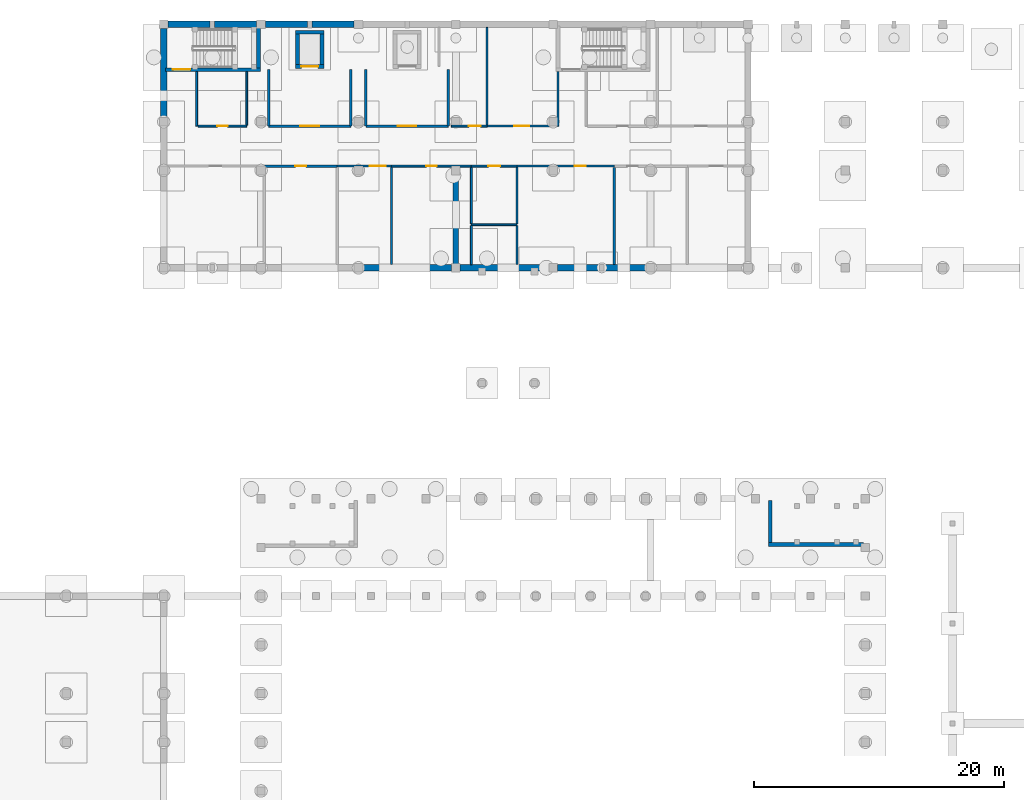
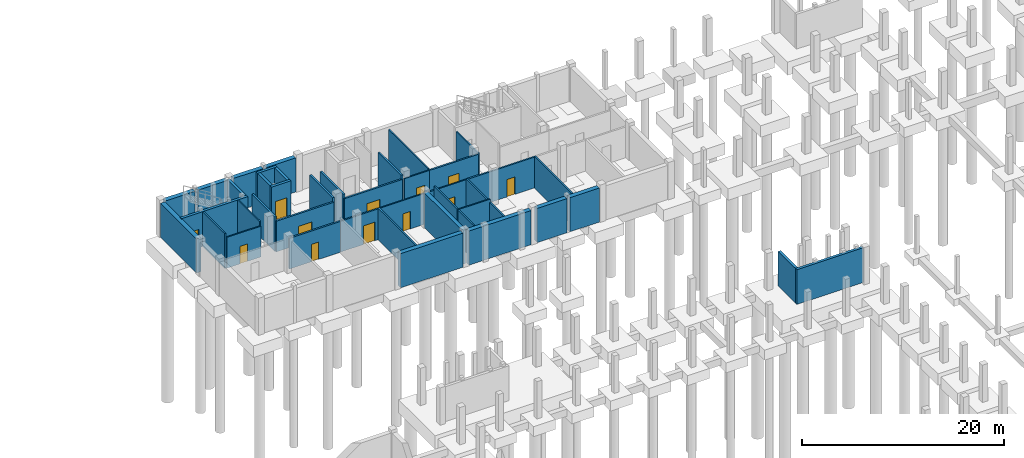
# One storey, part 16 of 24: 43 walls, 12 doors, 12 openings.
"""IFC4 building model written with IfcOpenShell, lengths in metres."""

import ifcopenshell
import ifcopenshell.guid

model = None  # the IFC model being written
_history = None  # IfcOwnerHistory: only IFC2X3 demands one
_inside = {}  # id of a spatial element -> (the spatial element, [elements in it])
_under = {}  # id of a project, library or spatial element -> (it, [spatial elements below it])
_declared = {}  # id of a project -> (the project, [libraries it declares])
_typed = {}  # id of a type object -> (the type object, [elements of that type])
_made_of = {}  # id of a material, layer set ... -> (it, [elements and type objects made of it])


def new_model(schema):
    """Start an empty IFC model of exactly this schema.

    Asked for "IFC4X3", IfcOpenShell would pick the latest addendum, in which some entities
    have other attributes; the version numbers below select the first issue.
    IFC2X3 requires an IfcOwnerHistory on every rooted entity: one is made here for all.
    """
    global model, _history
    if schema == "IFC4X3":
        model = ifcopenshell.file(schema_version=(4, 3, 0, 0))
    else:
        model = ifcopenshell.file(schema=schema)
    _inside.clear()
    _under.clear()
    _declared.clear()
    _typed.clear()
    _made_of.clear()
    _history = None
    if model.schema == "IFC2X3":
        org = make("IfcOrganization", Name="unknown")
        user = make(
            "IfcPersonAndOrganization",
            ThePerson=make("IfcPerson", FamilyName="unknown"),
            TheOrganization=org,
        )
        app = make(
            "IfcApplication",
            ApplicationDeveloper=org,
            Version="unknown",
            ApplicationFullName="unknown",
            ApplicationIdentifier="unknown",
        )
        _history = make(
            "IfcOwnerHistory",
            OwningUser=user,
            OwningApplication=app,
            ChangeAction="ADDED",
            CreationDate=0,
        )
    return model


def make(cls, **values):
    """One entity of the class cls with the attributes given. An attribute that is None is left unset."""
    return model.create_entity(
        cls, **{name: value for name, value in values.items() if value is not None}
    )


def rooted(cls, **values):
    """An entity with a GlobalId (a new one), such as an element, a storey or a relation."""
    return make(cls, GlobalId=ifcopenshell.guid.new(), OwnerHistory=_history, **values)


def si_unit(unit_type, name, prefix=None):
    """IfcSIUnit, for example si_unit("LENGTHUNIT", "METRE", prefix="MILLI")."""
    return make("IfcSIUnit", UnitType=unit_type, Prefix=prefix, Name=name)


def assignment(units):
    """IfcUnitAssignment: the units of a project."""
    return None if units is None else make("IfcUnitAssignment", Units=units)


def point(xyz):
    """IfcCartesianPoint."""
    return None if xyz is None else make("IfcCartesianPoint", Coordinates=xyz)


def direction(xyz):
    """IfcDirection."""
    return None if xyz is None else make("IfcDirection", DirectionRatios=xyz)


def frame(location, z_axis=None, x_axis=None):
    """IfcAxis2Placement3D, a coordinate frame: its origin and axes. An axis left out is left unset."""
    return make(
        "IfcAxis2Placement3D",
        Location=point(location),
        Axis=direction(z_axis),
        RefDirection=direction(x_axis),
    )


def frame_2d(location, x_axis=None):
    """IfcAxis2Placement2D, a coordinate frame in the plane: its origin and x axis."""
    return make(
        "IfcAxis2Placement2D", Location=point(location), RefDirection=direction(x_axis)
    )


def origin():
    """The frame at (0, 0, 0) with its axes left unset."""
    return frame((0.0, 0.0, 0.0))


def place(relative_to, where):
    """IfcLocalPlacement: puts the frame where relative to a parent placement (None: the world)."""
    return make(
        "IfcLocalPlacement", PlacementRelTo=relative_to, RelativePlacement=where
    )


def context(
    kind, dimensions, precision=None, world=None, true_north=None, identifier=None
):
    """IfcGeometricRepresentationContext, for example the 3D "Model" context."""
    return make(
        "IfcGeometricRepresentationContext",
        ContextIdentifier=identifier,
        ContextType=kind,
        CoordinateSpaceDimension=dimensions,
        Precision=precision,
        WorldCoordinateSystem=world,
        TrueNorth=true_north,
    )


def subcontext(parent, identifier, kind, view, scale=None):
    """IfcGeometricRepresentationSubContext, for example "Body" below "Model"."""
    return make(
        "IfcGeometricRepresentationSubContext",
        ContextIdentifier=identifier,
        ContextType=kind,
        ParentContext=parent,
        TargetScale=scale,
        TargetView=view,
    )


def project(units=None, contexts=None):
    """IfcProject with its units and contexts."""
    return rooted(
        "IfcProject",
        Name="project",
        RepresentationContexts=contexts,
        UnitsInContext=assignment(units),
    )


def spatial(cls, under=None, at=None, **own):
    """A site, building, storey or space (cls), placed at a placement, below another one or the project."""
    s = rooted(cls, ObjectPlacement=at, **own)
    if under is not None:
        _under.setdefault(under.id(), (under, []))[1].append(s)
    return s


def profile(cls, at=None, kind="AREA", **sizes):
    """A parametric profile (cls). Its sizes go by their IFC names, for example OverallWidth=200.0."""
    return make(cls, ProfileType=kind, Position=at, **sizes)


def rectangle(**sizes):
    """IfcRectangleProfileDef."""
    return profile("IfcRectangleProfileDef", **sizes)


def extrude(swept, where, along, depth):
    """IfcExtrudedAreaSolid: the profile swept, set in the frame where, extruded along a direction by depth."""
    return make(
        "IfcExtrudedAreaSolid",
        SweptArea=swept,
        Position=where,
        ExtrudedDirection=direction(along),
        Depth=depth,
    )


def shape(context_of_items, identifier, shape_type, items):
    """IfcShapeRepresentation: the items that make up one representation, for example the "Body"."""
    return make(
        "IfcShapeRepresentation",
        ContextOfItems=context_of_items,
        RepresentationIdentifier=identifier,
        RepresentationType=shape_type,
        Items=items,
    )


def material(Name=None, Category=None):
    """IfcMaterial."""
    return make("IfcMaterial", Name=Name, Category=Category)


def layer(
    of_material, thickness, ventilated=None, Name=None, Category=None, Priority=None
):
    """IfcMaterialLayer: one layer of a wall or slab, of a material (None: an air gap)."""
    return make(
        "IfcMaterialLayer",
        Material=of_material,
        LayerThickness=thickness,
        IsVentilated=ventilated,
        Name=Name,
        Category=Category,
        Priority=Priority,
    )


def layer_set(layers, Name=None):
    """IfcMaterialLayerSet."""
    return make("IfcMaterialLayerSet", MaterialLayers=layers, LayerSetName=Name)


def made_of(thing, what):
    """Note that an element or type object is made of a material, layer set ...; save() writes the relation."""
    if what is not None:
        _made_of.setdefault(what.id(), (what, []))[1].append(thing)
    return thing


def type_object(cls, material=None, **own):
    """A type object (cls), such as IfcWallType, which elements share."""
    return made_of(rooted(cls, **own), material)


def element(
    cls,
    number,
    at=None,
    inside=None,
    cuts=None,
    type_object=None,
    material=None,
    context=None,
    identifier="Body",
    shape_type=None,
    held_by="IfcProductDefinitionShape",
    body=None,
    shapes=None,
    **own,
):
    """One element of the class cls, such as IfcWall. Its Tag is "e" and its number.

    at: its placement. inside: the storey or other place that contains it. cuts: it is an
    opening in that element (IfcRelVoidsElement). A single representation is given by context,
    identifier, shape_type and body (its items); several are given by shapes. held_by: the class
    of the entity that holds the representations. save() writes the other relations.
    """
    e = rooted(cls, Tag="e%d" % number, ObjectPlacement=at, **own)
    if body is not None:
        shapes = [shape(context, identifier, shape_type, body)]
    if shapes is not None:
        e.Representation = make(held_by, Representations=shapes)
    if inside is not None:
        _inside.setdefault(inside.id(), (inside, []))[1].append(e)
    if cuts is not None:
        rooted(
            "IfcRelVoidsElement", RelatingBuildingElement=cuts, RelatedOpeningElement=e
        )
    if type_object is not None:
        _typed.setdefault(type_object.id(), (type_object, []))[1].append(e)
    return made_of(e, material)


def fill(opening, filler):
    """IfcRelFillsElement: the door or window that sits in an opening."""
    return rooted(
        "IfcRelFillsElement",
        RelatingOpeningElement=opening,
        RelatedBuildingElement=filler,
    )


def aggregate(whole, parts):
    """IfcRelAggregates: a whole, such as a stair, and the parts it consists of."""
    return rooted("IfcRelAggregates", RelatingObject=whole, RelatedObjects=parts)


def save(model, path):
    """Write the relations noted so far, then the file.

    IfcRelAggregates (storeys below a building ...), IfcRelContainedInSpatialStructure (elements
    in a storey), IfcRelDefinesByType, IfcRelAssociatesMaterial and IfcRelDeclares: one each for
    every whole, place, type object, material and project.
    """
    for whole, parts in _under.values():
        aggregate(whole, parts)
    for where, things in _inside.values():
        rooted(
            "IfcRelContainedInSpatialStructure",
            RelatedElements=things,
            RelatingStructure=where,
        )
    for kind, things in _typed.values():
        rooted("IfcRelDefinesByType", RelatedObjects=things, RelatingType=kind)
    for what, things in _made_of.values():
        rooted("IfcRelAssociatesMaterial", RelatedObjects=things, RelatingMaterial=what)
    for by, libraries in _declared.values():
        rooted("IfcRelDeclares", RelatingContext=by, RelatedDefinitions=libraries)
    model.write(path)


model = new_model("IFC4")

# Units and contexts
model_context = context("Model", 3, precision=1e-05, world=origin(), true_north=direction((0.0, 1.0)))
body_context = subcontext(model_context, "Body", "Model", "MODEL_VIEW")
ifc_project = project(units=[si_unit("LENGTHUNIT", "METRE"), si_unit("AREAUNIT", "SQUARE_METRE"), si_unit("VOLUMEUNIT", "CUBIC_METRE"), si_unit("PLANEANGLEUNIT", "RADIAN"), si_unit("MASSUNIT", "GRAM", prefix="KILO")], contexts=[model_context])

# Site, building, storey
site_placement = place(None, origin())
site = spatial("IfcSite", under=ifc_project, at=site_placement, CompositionType="ELEMENT")
building_placement = place(site_placement, origin())
building = spatial("IfcBuilding", under=site, at=building_placement, Name="Celorna Specialist Clinic", CompositionType="ELEMENT")
storey_placement = place(building_placement, frame((0.0, 0.0, -4.5)))
storey = spatial("IfcBuildingStorey", under=building, at=storey_placement, Name="B01", CompositionType="ELEMENT", Elevation=-4.5)

# Walls
ifc_material_1 = material(Name="Concrete C35/45", Category="concrete")
ifc_layer_1 = layer(ifc_material_1, 0.5, Name="Concrete C35/45")
ifc_layer_set_1 = layer_set([ifc_layer_1], Name="Concrete C35/45")
wall_type_1 = type_object("IfcWallType", Name="WT-03", PredefinedType="SOLIDWALL", material=ifc_layer_set_1)
for number, where, z_axis, x_axis, name in (
    (1, (47.14990234375, 116.0, 0.0), (0.0, 0.0, 1.0), (1.0, 0.0, 0.0), "External facade wall WT-03 #54"),
    (2, (50.875, 116.0, 0.0), (0.0, 0.0, 1.0), (1.0, 0.0, 0.0), "External facade wall WT-03 #55"),
    (3, (54.949951171875, 116.0, 0.0), (0.0, 0.0, 1.0), (1.0, 0.0, 0.0), "External facade wall WT-03 #56"),
    (4, (58.675048828125, 116.0, 0.0), (0.0, 0.0, 1.0), (1.0, 0.0, 0.0), "External facade wall WT-03 #57"),
    (5, (85.449951171875, 96.5, 0.0), (0.0, 0.0, 1.0), (-1.0, 0.0, 0.0), "External facade wall WT-03 #68"),
    (6, (81.72509765625, 96.5, 0.0), (0.0, 0.0, 1.0), (-1.0, 0.0, 0.0), "External facade wall WT-03 #69"),
):
    element("IfcWall", number, at=place(storey_placement, frame(where, z_axis=z_axis, x_axis=x_axis)), inside=storey, type_object=wall_type_1, Name=name, PredefinedType="SOLIDWALL", context=body_context, shape_type="SweptSolid", body=[
        extrude(rectangle(XDim=3.375, YDim=0.5, at=frame_2d((1.6875, 0.0))), origin(), (0.0, 0.0, 1.0), 4.1201171875),
    ])
wall_1_placement = place(storey_placement, frame((77.64990234375, 96.5, 0.0), z_axis=(0.0, 0.0, 1.0), x_axis=(-1.0, 0.0, 0.0)))
element("IfcWall", 7, at=wall_1_placement, inside=storey, type_object=wall_type_1, Name="External facade wall WT-03 #70", PredefinedType="SOLIDWALL", context=body_context, shape_type="SweptSolid", body=[
    extrude(rectangle(XDim=7.099853515625, YDim=0.5, at=frame_2d((3.5498046875, 0.0))), origin(), (0.0, 0.0, 1.0), 4.1201171875),
])
wall_2_placement = place(storey_placement, frame((69.85009765625, 96.5, 0.0), z_axis=(0.0, 0.0, 1.0), x_axis=(-1.0, 0.0, 0.0)))
element("IfcWall", 8, at=wall_2_placement, inside=storey, type_object=wall_type_1, Name="External facade wall WT-03 #71", PredefinedType="SOLIDWALL", context=body_context, shape_type="SweptSolid", body=[
    extrude(rectangle(XDim=7.10009765625, YDim=0.5, at=frame_2d((3.550048828125, 0.0))), origin(), (0.0, 0.0, 1.0), 4.1201171875),
])
wall_3_placement = place(storey_placement, frame((46.800048828125, 108.550048828125, 0.0), z_axis=(0.0, 0.0, 1.0), x_axis=(0.0, 1.0, 0.0)))
element("IfcWall", 9, at=wall_3_placement, inside=storey, type_object=wall_type_1, Name="External facade wall WT-03 #77", PredefinedType="SOLIDWALL", context=body_context, shape_type="SweptSolid", body=[
    extrude(rectangle(XDim=7.099853515625, YDim=0.5, at=frame_2d((3.5498046875, 0.0))), origin(), (0.0, 0.0, 1.0), 4.1201171875),
])
ifc_material_2 = material(Name="Concrete C40/50", Category="concrete")
ifc_layer_2 = layer(ifc_material_2, 0.449951171875, Name="Concrete C40/50")
ifc_layer_set_2 = layer_set([ifc_layer_2], Name="Concrete C40/50")
wall_type_2 = type_object("IfcWallType", Name="WT-04", PredefinedType="SHEAR", material=ifc_layer_set_2)
wall_4_placement = place(storey_placement, frame((70.199951171875, 96.68994140625, 0.0), z_axis=(0.0, 0.0, 1.0), x_axis=(0.0, 1.0, 0.0)))
element("IfcWall", 10, at=wall_4_placement, inside=storey, type_object=wall_type_2, Name="Structural RC shear wall WT-04 V4 B01", PredefinedType="SHEAR", context=body_context, shape_type="SweptSolid", body=[
    extrude(rectangle(XDim=7.4599609375, YDim=0.449951171875, at=frame_2d((3.72998046875, 0.0))), origin(), (0.0, 0.0, 1.0), 4.199951171875),
])

# Wall, opening, door
ifc_layer_3 = layer(ifc_material_1, 0.300048828125, Name="Concrete C35/45")
ifc_layer_set_3 = layer_set([ifc_layer_3], Name="Concrete C35/45")
wall_type_3 = type_object("IfcWallType", Name="WT-08", PredefinedType="SHEAR", material=ifc_layer_set_3)
wall_5_placement = place(storey_placement, frame((46.949951171875, 112.3701171875, 0.0), z_axis=(0.0, 0.0, 1.0), x_axis=(1.0, 0.0, 0.0)))
wall_5 = element("IfcWall", 11, at=wall_5_placement, inside=storey, type_object=wall_type_3, Name="Stair ST-01 RC core wall B01 south", PredefinedType="SHEAR", context=body_context, shape_type="SweptSolid", body=[
    extrude(rectangle(XDim=7.590087890625, YDim=0.300048828125, at=frame_2d((3.794921875, 0.0))), origin(), (0.0, 0.0, 1.0), 4.199951171875),
])
opening_1_placement = place(wall_5_placement, frame((0.590087890625, 0.0, 0.0)))
opening_1 = element("IfcOpeningElement", 12, at=opening_1_placement, cuts=wall_5, Name="Opening DR-10", PredefinedType="OPENING", context=body_context, shape_type="SweptSolid", body=[
    extrude(rectangle(XDim=1.39990234375, YDim=2.199951171875, at=frame_2d((0.699951171875, 1.10009765625))), frame((0.0, 0.159912109375, 0.0), z_axis=(0.0, -1.0, 0.0), x_axis=(1.0, 0.0, 0.0)), (0.0, 0.0, 1.0), 0.320068359375),
])
ifc_material_3 = material(Name="Protected exit stair fire door")
door_type_1 = type_object("IfcDoorType", Name="DR-10", OperationType="NOTDEFINED", PredefinedType="DOOR", material=ifc_material_3)
door_1_placement = place(opening_1_placement, origin())
door_1 = element("IfcDoor", 13, at=door_1_placement, inside=storey, type_object=door_type_1, Name="Protected exit stair door ST-01 B01", OperationType="SINGLE_SWING_RIGHT", OverallHeight=2.199951171875, OverallWidth=1.39990234375, PredefinedType="DOOR", context=body_context, shape_type="SweptSolid", body=[
    extrude(rectangle(XDim=1.39990234375, YDim=2.199951171875, at=frame_2d((0.699951171875, 1.10009765625))), frame((0.0, 0.02490234375, 0.0), z_axis=(0.0, -1.0, 0.0), x_axis=(1.0, 0.0, 0.0)), (0.0, 0.0, 1.0), 0.050048828125),
])
fill(opening_1, door_1)

# Walls
wall_6_placement = place(storey_placement, frame((54.389892578125, 112.52001953125, 0.0), z_axis=(0.0, 0.0, 1.0), x_axis=(0.0, 1.0, 0.0)))
element("IfcWall", 14, at=wall_6_placement, inside=storey, type_object=wall_type_3, Name="Stair ST-01 RC core wall B01 east", PredefinedType="SHEAR", context=body_context, shape_type="SweptSolid", body=[
    extrude(rectangle(XDim=3.330078125, YDim=0.300048828125, at=frame_2d((1.6650390625, 0.0))), origin(), (0.0, 0.0, 1.0), 4.199951171875),
])
wall_7_placement = place(storey_placement, frame((95.239990234375, 74.330078125, 0.0), z_axis=(0.0, 0.0, 1.0), x_axis=(1.0, 0.0, 0.0)))
element("IfcWall", 15, at=wall_7_placement, inside=storey, type_object=wall_type_3, Name="Stair ST-11 RC core wall B01 south", PredefinedType="SHEAR", context=body_context, shape_type="SweptSolid", body=[
    extrude(rectangle(XDim=7.610107421875, YDim=0.300048828125, at=frame_2d((3.80517578125, 0.0))), origin(), (0.0, 0.0, 1.0), 4.199951171875),
])
wall_8_placement = place(storey_placement, frame((95.389892578125, 77.85009765625, 0.0), z_axis=(0.0, 0.0, 1.0), x_axis=(0.0, -1.0, 0.0)))
element("IfcWall", 16, at=wall_8_placement, inside=storey, type_object=wall_type_3, Name="Stair ST-11 RC core wall B01 west", PredefinedType="SHEAR", context=body_context, shape_type="SweptSolid", body=[
    extrude(rectangle(XDim=3.3701171875, YDim=0.300048828125, at=frame_2d((1.68505859375, 0.0))), origin(), (0.0, 0.0, 1.0), 4.199951171875),
])

# Wall, opening, door
wall_9_placement = place(storey_placement, frame((57.375, 112.625, 0.0), z_axis=(0.0, 0.0, 1.0), x_axis=(1.0, 0.0, 0.0)))
wall_9 = element("IfcWall", 17, at=wall_9_placement, inside=storey, type_object=wall_type_3, Name="Lift LF-01 RC shaft wall B01", PredefinedType="SHEAR", context=body_context, shape_type="SweptSolid", body=[
    extrude(rectangle(XDim=2.25, YDim=0.300048828125, at=frame_2d((1.125, 0.0))), origin(), (0.0, 0.0, 1.0), 4.199951171875),
])
opening_2_placement = place(wall_9_placement, frame((0.449951171875, 0.0, 0.0)))
opening_2 = element("IfcOpeningElement", 18, at=opening_2_placement, cuts=wall_9, Name="Opening LD-02", PredefinedType="OPENING", context=body_context, shape_type="SweptSolid", body=[
    extrude(rectangle(XDim=1.35009765625, YDim=2.300048828125, at=frame_2d((0.675048828125, 1.14990234375))), frame((0.0, 0.159912109375, 0.0), z_axis=(0.0, -1.0, 0.0), x_axis=(1.0, 0.0, 0.0)), (0.0, 0.0, 1.0), 0.320068359375),
])
ifc_material_4 = material(Name="Firefighting stretcher lift landing sliding door")
door_type_2 = type_object("IfcDoorType", Name="LD-02", OperationType="DOUBLE_DOOR_SLIDING", PredefinedType="DOOR", material=ifc_material_4)
door_2_placement = place(opening_2_placement, origin())
door_2 = element("IfcDoor", 19, at=door_2_placement, inside=storey, type_object=door_type_2, Name="Lift LF-01 sliding landing door B01", OperationType="DOUBLE_DOOR_SLIDING", OverallHeight=2.300048828125, OverallWidth=1.35009765625, PredefinedType="DOOR", context=body_context, shape_type="SweptSolid", body=[
    extrude(rectangle(XDim=1.35009765625, YDim=2.300048828125, at=frame_2d((0.675048828125, 1.14990234375))), frame((0.0, 0.02490234375, 0.0), z_axis=(0.0, -1.0, 0.0), x_axis=(1.0, 0.0, 0.0)), (0.0, 0.0, 1.0), 0.050048828125),
])
fill(opening_2, door_2)

# Walls
wall_10_placement = place(storey_placement, frame((59.625, 115.375, 0.0), z_axis=(0.0, 0.0, 1.0), x_axis=(-1.0, 0.0, 0.0)))
element("IfcWall", 20, at=wall_10_placement, inside=storey, type_object=wall_type_3, Name="Lift LF-01 RC shaft wall B01", PredefinedType="SHEAR", context=body_context, shape_type="SweptSolid", body=[
    extrude(rectangle(XDim=2.25, YDim=0.300048828125, at=frame_2d((1.125, 0.0))), origin(), (0.0, 0.0, 1.0), 4.199951171875),
])
for number, where, z_axis, x_axis, name in (
    (21, (57.52490234375, 115.22509765625, 0.0), (0.0, 0.0, 1.0), (0.0, -1.0, 0.0), "Lift LF-01 RC shaft wall B01"),
    (22, (59.47509765625, 112.77490234375, 0.0), (0.0, 0.0, 1.0), (0.0, 1.0, 0.0), "Lift LF-01 RC shaft wall B01"),
):
    element("IfcWall", number, at=place(storey_placement, frame(where, z_axis=z_axis, x_axis=x_axis)), inside=storey, type_object=wall_type_3, Name=name, PredefinedType="SHEAR", context=body_context, shape_type="SweptSolid", body=[
        extrude(rectangle(XDim=2.4501953125, YDim=0.300048828125, at=frame_2d((1.22509765625, 0.0))), origin(), (0.0, 0.0, 1.0), 4.199951171875),
    ])

# Wall, opening, door
ifc_layer_4 = layer(ifc_material_1, 0.199951171875, Name="Concrete C35/45")
ifc_layer_set_4 = layer_set([ifc_layer_4], Name="Concrete C35/45")
wall_type_4 = type_object("IfcWallType", Name="WT-12", PredefinedType="SOLIDWALL", material=ifc_layer_set_4)
wall_11_placement = place(storey_placement, frame((55.199951171875, 107.85009765625, 0.0), z_axis=(0.0, 0.0, 1.0), x_axis=(1.0, 0.0, 0.0)))
wall_11 = element("IfcWall", 23, at=wall_11_placement, inside=storey, type_object=wall_type_4, Name="Firefighting lobby wall LF-01 B01", PredefinedType="SOLIDWALL", context=body_context, shape_type="SweptSolid", body=[
    extrude(rectangle(XDim=6.60009765625, YDim=0.199951171875, at=frame_2d((3.300048828125, 0.0))), origin(), (0.0, 0.0, 1.0), 3.7099609375),
])
opening_3_placement = place(wall_11_placement, frame((2.550048828125, 0.0, 0.0)))
opening_3 = element("IfcOpeningElement", 24, at=opening_3_placement, cuts=wall_11, Name="Opening DR-11", PredefinedType="OPENING", context=body_context, shape_type="SweptSolid", body=[
    extrude(rectangle(XDim=1.5, YDim=2.199951171875, at=frame_2d((0.75, 1.10009765625))), frame((0.0, 0.10986328125, 0.0), z_axis=(0.0, -1.0, 0.0), x_axis=(1.0, 0.0, 0.0)), (0.0, 0.0, 1.0), 0.219970703125),
])
ifc_material_5 = material(Name="Firefighting lobby double fire door")
door_type_3 = type_object("IfcDoorType", Name="DR-11", OperationType="DOUBLE_DOOR_SINGLE_SWING", PredefinedType="DOOR", material=ifc_material_5)
door_3_placement = place(opening_3_placement, origin())
door_3 = element("IfcDoor", 25, at=door_3_placement, inside=storey, type_object=door_type_3, Name="Firefighting lobby fire door LF-01 B01", OperationType="DOUBLE_DOOR_SINGLE_SWING", OverallHeight=2.199951171875, OverallWidth=1.5, PredefinedType="DOOR", context=body_context, shape_type="SweptSolid", body=[
    extrude(rectangle(XDim=1.5, YDim=2.199951171875, at=frame_2d((0.75, 1.10009765625))), frame((0.0, 0.02490234375, 0.0), z_axis=(0.0, -1.0, 0.0), x_axis=(1.0, 0.0, 0.0)), (0.0, 0.0, 1.0), 0.050048828125),
])
fill(opening_3, door_3)

# Walls
for number, where, z_axis, x_axis, name in (
    (26, (55.199951171875, 112.39990234375, 0.0), (0.0, 0.0, 1.0), (0.0, -1.0, 0.0), "Firefighting lobby wall LF-01 B01"),
    (27, (61.800048828125, 107.85009765625, 0.0), (0.0, 0.0, 1.0), (0.0, 1.0, 0.0), "Firefighting lobby wall LF-01 B01"),
):
    element("IfcWall", number, at=place(storey_placement, frame(where, z_axis=z_axis, x_axis=x_axis)), inside=storey, type_object=wall_type_4, Name=name, PredefinedType="SOLIDWALL", context=body_context, shape_type="SweptSolid", body=[
        extrude(rectangle(XDim=4.5498046875, YDim=0.199951171875, at=frame_2d((2.27490234375, 0.0))), origin(), (0.0, 0.0, 1.0), 4.199951171875),
    ])

# Wall, opening, door
wall_12_placement = place(storey_placement, frame((63.0, 107.85009765625, 0.0), z_axis=(0.0, 0.0, 1.0), x_axis=(1.0, 0.0, 0.0)))
wall_12 = element("IfcWall", 28, at=wall_12_placement, inside=storey, type_object=wall_type_4, Name="Firefighting lobby wall LF-02 B01", PredefinedType="SOLIDWALL", context=body_context, shape_type="SweptSolid", body=[
    extrude(rectangle(XDim=6.60009765625, YDim=0.199951171875, at=frame_2d((3.300048828125, 0.0))), origin(), (0.0, 0.0, 1.0), 3.7099609375),
])
opening_4_placement = place(wall_12_placement, frame((2.550048828125, 0.0, 0.0)))
opening_4 = element("IfcOpeningElement", 29, at=opening_4_placement, cuts=wall_12, Name="Opening DR-11", PredefinedType="OPENING", context=body_context, shape_type="SweptSolid", body=[
    extrude(rectangle(XDim=1.5, YDim=2.199951171875, at=frame_2d((0.75, 1.10009765625))), frame((0.0, 0.10986328125, 0.0), z_axis=(0.0, -1.0, 0.0), x_axis=(1.0, 0.0, 0.0)), (0.0, 0.0, 1.0), 0.219970703125),
])
door_4_placement = place(opening_4_placement, origin())
door_4 = element("IfcDoor", 30, at=door_4_placement, inside=storey, type_object=door_type_3, Name="Firefighting lobby fire door LF-02 B01", OperationType="DOUBLE_DOOR_SINGLE_SWING", OverallHeight=2.199951171875, OverallWidth=1.5, PredefinedType="DOOR", context=body_context, shape_type="SweptSolid", body=[
    extrude(rectangle(XDim=1.5, YDim=2.199951171875, at=frame_2d((0.75, 1.10009765625))), frame((0.0, 0.02490234375, 0.0), z_axis=(0.0, -1.0, 0.0), x_axis=(1.0, 0.0, 0.0)), (0.0, 0.0, 1.0), 0.050048828125),
])
fill(opening_4, door_4)

# Walls
for number, where, z_axis, x_axis, name in (
    (31, (63.0, 112.39990234375, 0.0), (0.0, 0.0, 1.0), (0.0, -1.0, 0.0), "Firefighting lobby wall LF-02 B01"),
    (32, (69.60009765625, 107.85009765625, 0.0), (0.0, 0.0, 1.0), (0.0, 1.0, 0.0), "Firefighting lobby wall LF-02 B01"),
):
    element("IfcWall", number, at=place(storey_placement, frame(where, z_axis=z_axis, x_axis=x_axis)), inside=storey, type_object=wall_type_4, Name=name, PredefinedType="SOLIDWALL", context=body_context, shape_type="SweptSolid", body=[
        extrude(rectangle(XDim=4.5498046875, YDim=0.199951171875, at=frame_2d((2.27490234375, 0.0))), origin(), (0.0, 0.0, 1.0), 4.199951171875),
    ])

# Wall, opening, door
wall_13_placement = place(storey_placement, frame((60.699951171875, 104.64990234375, 0.0), z_axis=(0.0, 0.0, 1.0), x_axis=(-1.0, 0.0, 0.0)))
wall_13 = element("IfcWall", 33, at=wall_13_placement, inside=storey, type_object=wall_type_4, Name="Interior partition WT-12 B01-023", PredefinedType="SOLIDWALL", context=body_context, shape_type="SweptSolid", body=[
    extrude(rectangle(XDim=5.849853515625, YDim=0.199951171875, at=frame_2d((2.9248046875, 0.0))), origin(), (0.0, 0.0, 1.0), 3.7099609375),
])
opening_5_placement = place(wall_13_placement, frame((2.5, 0.0, 0.0)))
opening_5 = element("IfcOpeningElement", 34, at=opening_5_placement, cuts=wall_13, Name="Opening DR-01", PredefinedType="OPENING", context=body_context, shape_type="SweptSolid", body=[
    extrude(rectangle(XDim=0.85009765625, YDim=2.10009765625, at=frame_2d((0.425048828125, 1.050048828125))), frame((0.0, 0.10986328125, 0.0), z_axis=(0.0, -1.0, 0.0), x_axis=(1.0, 0.0, 0.0)), (0.0, 0.0, 1.0), 0.219970703125),
])
ifc_material_6 = material(Name="Powder-coated steel door", Category="steel")
door_type_4 = type_object("IfcDoorType", Name="DR-01", OperationType="NOTDEFINED", PredefinedType="DOOR", material=ifc_material_6)
door_5_placement = place(opening_5_placement, origin())
door_5 = element("IfcDoor", 35, at=door_5_placement, inside=storey, type_object=door_type_4, Name="Air Handling and Heat Recovery Plant Room door B01-023", OperationType="SINGLE_SWING_RIGHT", OverallHeight=2.10009765625, OverallWidth=0.85009765625, PredefinedType="DOOR", context=body_context, shape_type="SweptSolid", body=[
    extrude(rectangle(XDim=0.85009765625, YDim=2.10009765625, at=frame_2d((0.425048828125, 1.050048828125))), frame((0.0, 0.02490234375, 0.0), z_axis=(0.0, -1.0, 0.0), x_axis=(1.0, 0.0, 0.0)), (0.0, 0.0, 1.0), 0.050048828125),
])
fill(opening_5, door_5)

ifc_material_7 = material(Name="Acoustic masonry clinical partition", Category="masonry")
ifc_layer_5 = layer(ifc_material_7, 0.179931640625, Name="Acoustic masonry clinical partition")
ifc_layer_set_5 = layer_set([ifc_layer_5], Name="Acoustic masonry clinical partition")
wall_type_5 = type_object("IfcWallType", Name="WT-13", PredefinedType="PARTITIONING", material=ifc_layer_set_5)
wall_14_placement = place(storey_placement, frame((65.050048828125, 104.64990234375, 0.0), z_axis=(0.0, 0.0, 1.0), x_axis=(-1.0, 0.0, 0.0)))
wall_14 = element("IfcWall", 36, at=wall_14_placement, inside=storey, type_object=wall_type_5, Name="Interior partition WT-13 B01-024", PredefinedType="PARTITIONING", context=body_context, shape_type="SweptSolid", body=[
    extrude(rectangle(XDim=4.35009765625, YDim=0.179931640625, at=frame_2d((2.175048828125, 0.0))), origin(), (0.0, 0.0, 1.0), 3.7099609375),
])
opening_6_placement = place(wall_14_placement, frame((0.447509765625, 0.0, 0.0)))
opening_6 = element("IfcOpeningElement", 37, at=opening_6_placement, cuts=wall_14, Name="Opening DR-22", PredefinedType="OPENING", context=body_context, shape_type="SweptSolid", body=[
    extrude(rectangle(XDim=1.280029296875, YDim=2.25, at=frame_2d((0.64013671875, 1.125))), frame((0.0, 0.099853515625, 0.0), z_axis=(0.0, -1.0, 0.0), x_axis=(1.0, 0.0, 0.0)), (0.0, 0.0, 1.0), 0.199951171875),
])
ifc_material_8 = material(Name="Diagnostic procedure room door")
door_type_5 = type_object("IfcDoorType", Name="DR-22", OperationType="NOTDEFINED", PredefinedType="DOOR", material=ifc_material_8)
door_6_placement = place(opening_6_placement, origin())
door_6 = element("IfcDoor", 38, at=door_6_placement, inside=storey, type_object=door_type_5, Name="Clinical IT Server and Telemetry Room door B01-024", OperationType="SINGLE_SWING_LEFT", OverallHeight=2.25, OverallWidth=1.280029296875, PredefinedType="DOOR", context=body_context, shape_type="SweptSolid", body=[
    extrude(rectangle(XDim=1.280029296875, YDim=2.25, at=frame_2d((0.64013671875, 1.125))), frame((0.0, 0.02490234375, 0.0), z_axis=(0.0, -1.0, 0.0), x_axis=(1.0, 0.0, 0.0)), (0.0, 0.0, 1.0), 0.050048828125),
])
fill(opening_6, door_6)

wall_15_placement = place(storey_placement, frame((82.89990234375, 104.64990234375, 0.0), z_axis=(0.0, 0.0, 1.0), x_axis=(-1.0, 0.0, 0.0)))
wall_15 = element("IfcWall", 39, at=wall_15_placement, inside=storey, type_object=wall_type_5, Name="Interior partition WT-13 B01-027", PredefinedType="PARTITIONING", context=body_context, shape_type="SweptSolid", body=[
    extrude(rectangle(XDim=7.7998046875, YDim=0.179931640625, at=frame_2d((3.89990234375, 0.0))), origin(), (0.0, 0.0, 1.0), 3.7099609375),
])
opening_7_placement = place(wall_15_placement, frame((2.280029296875, 0.0, 0.0)))
opening_7 = element("IfcOpeningElement", 40, at=opening_7_placement, cuts=wall_15, Name="Opening DR-02", PredefinedType="OPENING", context=body_context, shape_type="SweptSolid", body=[
    extrude(rectangle(XDim=0.89990234375, YDim=2.10009765625, at=frame_2d((0.449951171875, 1.050048828125))), frame((0.0, 0.099853515625, 0.0), z_axis=(0.0, -1.0, 0.0), x_axis=(1.0, 0.0, 0.0)), (0.0, 0.0, 1.0), 0.199951171875),
])
ifc_material_9 = material(Name="Timber acoustic clinical door", Category="wood")
door_type_6 = type_object("IfcDoorType", Name="DR-02", OperationType="NOTDEFINED", PredefinedType="DOOR", material=ifc_material_9)
door_7_placement = place(opening_7_placement, origin())
door_7 = element("IfcDoor", 41, at=door_7_placement, inside=storey, type_object=door_type_6, Name="Diagnostic Specimen Biobank Vault door B01-027", OperationType="SINGLE_SWING_RIGHT", OverallHeight=2.10009765625, OverallWidth=0.89990234375, PredefinedType="DOOR", context=body_context, shape_type="SweptSolid", body=[
    extrude(rectangle(XDim=0.89990234375, YDim=2.10009765625, at=frame_2d((0.449951171875, 1.050048828125))), frame((0.0, 0.02490234375, 0.0), z_axis=(0.0, -1.0, 0.0), x_axis=(1.0, 0.0, 0.0)), (0.0, 0.0, 1.0), 0.050048828125),
])
fill(opening_7, door_7)

wall_16_placement = place(storey_placement, frame((72.699951171875, 107.85009765625, 0.0), z_axis=(0.0, 0.0, 1.0), x_axis=(1.0, 0.0, 0.0)))
wall_16 = element("IfcWall", 42, at=wall_16_placement, inside=storey, type_object=wall_type_5, Name="Interior partition WT-13 B01-032", PredefinedType="PARTITIONING", context=body_context, shape_type="SweptSolid", body=[
    extrude(rectangle(XDim=5.570068359375, YDim=0.179931640625, at=frame_2d((2.78515625, 0.0))), origin(), (0.0, 0.0, 1.0), 3.7099609375),
])
opening_8_placement = place(wall_16_placement, frame((2.18505859375, 0.0, 0.0)))
opening_8 = element("IfcOpeningElement", 43, at=opening_8_placement, cuts=wall_16, Name="Opening DR-08", PredefinedType="OPENING", context=body_context, shape_type="SweptSolid", body=[
    extrude(rectangle(XDim=1.199951171875, YDim=2.199951171875, at=frame_2d((0.60009765625, 1.10009765625))), frame((0.0, 0.099853515625, 0.0), z_axis=(0.0, -1.0, 0.0), x_axis=(1.0, 0.0, 0.0)), (0.0, 0.0, 1.0), 0.199951171875),
])
ifc_material_10 = material(Name="Stretcher-width clinical door")
door_type_7 = type_object("IfcDoorType", Name="DR-08", OperationType="NOTDEFINED", PredefinedType="DOOR", material=ifc_material_10)
door_8_placement = place(opening_8_placement, origin())
door_8 = element("IfcDoor", 44, at=door_8_placement, inside=storey, type_object=door_type_7, Name="Diagnostic Specimen Biobank Vault door B01-032", OperationType="SINGLE_SWING_LEFT", OverallHeight=2.199951171875, OverallWidth=1.199951171875, PredefinedType="DOOR", context=body_context, shape_type="SweptSolid", body=[
    extrude(rectangle(XDim=1.199951171875, YDim=2.199951171875, at=frame_2d((0.60009765625, 1.10009765625))), frame((0.0, 0.02490234375, 0.0), z_axis=(0.0, -1.0, 0.0), x_axis=(1.0, 0.0, 0.0)), (0.0, 0.0, 1.0), 0.050048828125),
])
fill(opening_8, door_8)

# Walls
wall_17_placement = place(storey_placement, frame((65.050048828125, 96.75, 0.0), z_axis=(0.0, 0.0, 1.0), x_axis=(0.0, 1.0, 0.0)))
element("IfcWall", 45, at=wall_17_placement, inside=storey, type_object=wall_type_5, Name="Room dividing partition WT-13 B01-024", PredefinedType="PARTITIONING", context=body_context, shape_type="SweptSolid", body=[
    extrude(rectangle(XDim=7.81005859375, YDim=0.179931640625, at=frame_2d((3.905029296875, 0.0))), origin(), (0.0, 0.0, 1.0), 3.840087890625),
])
wall_18_placement = place(storey_placement, frame((75.10009765625, 96.75, 0.0), z_axis=(0.0, 0.0, 1.0), x_axis=(0.0, 1.0, 0.0)))
element("IfcWall", 46, at=wall_18_placement, inside=storey, type_object=wall_type_5, Name="Room dividing partition WT-13 B01-027", PredefinedType="PARTITIONING", context=body_context, shape_type="SweptSolid", body=[
    extrude(rectangle(XDim=3.125, YDim=0.179931640625, at=frame_2d((1.5625, 0.0))), origin(), (0.0, 0.0, 1.0), 3.840087890625),
])
wall_19_placement = place(storey_placement, frame((82.89990234375, 96.75, 0.0), z_axis=(0.0, 0.0, 1.0), x_axis=(0.0, 1.0, 0.0)))
element("IfcWall", 47, at=wall_19_placement, inside=storey, type_object=wall_type_5, Name="Room dividing partition WT-13 B01-027", PredefinedType="PARTITIONING", context=body_context, shape_type="SweptSolid", body=[
    extrude(rectangle(XDim=7.800048828125, YDim=0.179931640625, at=frame_2d((3.89990234375, 0.0))), origin(), (0.0, 0.0, 1.0), 3.840087890625),
])
ifc_material_11 = material(Name="Fire-rated gypsum board partition")
ifc_layer_6 = layer(ifc_material_11, 0.14990234375, Name="Fire-rated gypsum board partition")
ifc_layer_set_6 = layer_set([ifc_layer_6], Name="Fire-rated gypsum board partition")
wall_type_6 = type_object("IfcWallType", Name="WT-14", PredefinedType="PARTITIONING", material=ifc_layer_set_6)
wall_20_placement = place(storey_placement, frame((49.43994140625, 107.85009765625, 0.0), z_axis=(0.0, 0.0, 1.0), x_axis=(0.0, 1.0, 0.0)))
element("IfcWall", 48, at=wall_20_placement, inside=storey, type_object=wall_type_6, Name="Corridor spur partition WT-14", PredefinedType="PARTITIONING", context=body_context, shape_type="SweptSolid", body=[
    extrude(rectangle(XDim=4.369873046875, YDim=0.14990234375, at=frame_2d((2.18505859375, 0.0))), origin(), (0.0, 0.0, 1.0), 4.199951171875),
])
wall_21_placement = place(storey_placement, frame((78.389892578125, 107.85009765625, 0.0), z_axis=(0.0, 0.0, 1.0), x_axis=(0.0, 1.0, 0.0)))
element("IfcWall", 49, at=wall_21_placement, inside=storey, type_object=wall_type_6, Name="Corridor spur partition WT-14", PredefinedType="PARTITIONING", context=body_context, shape_type="SweptSolid", body=[
    extrude(rectangle(XDim=4.369873046875, YDim=0.14990234375, at=frame_2d((2.18505859375, 0.0))), origin(), (0.0, 0.0, 1.0), 3.75),
])

# Wall, opening, door
wall_22_placement = place(storey_placement, frame((71.449951171875, 104.64990234375, 0.0), z_axis=(0.0, 0.0, 1.0), x_axis=(-1.0, 0.0, 0.0)))
wall_22 = element("IfcWall", 50, at=wall_22_placement, inside=storey, type_object=wall_type_6, Name="Interior partition WT-14 B01-025", PredefinedType="PARTITIONING", context=body_context, shape_type="SweptSolid", body=[
    extrude(rectangle(XDim=6.39990234375, YDim=0.14990234375, at=frame_2d((3.199951171875, 0.0))), origin(), (0.0, 0.0, 1.0), 3.7099609375),
])
opening_9_placement = place(wall_22_placement, frame((2.77490234375, 0.0, 0.0)))
opening_9 = element("IfcOpeningElement", 51, at=opening_9_placement, cuts=wall_22, Name="Opening DR-01", PredefinedType="OPENING", context=body_context, shape_type="SweptSolid", body=[
    extrude(rectangle(XDim=0.85009765625, YDim=2.10009765625, at=frame_2d((0.425048828125, 1.050048828125))), frame((0.0, 0.0849609375, 0.0), z_axis=(0.0, -1.0, 0.0), x_axis=(1.0, 0.0, 0.0)), (0.0, 0.0, 1.0), 0.169921875),
])
door_9_placement = place(opening_9_placement, origin())
door_9 = element("IfcDoor", 52, at=door_9_placement, inside=storey, type_object=door_type_4, Name="Clean Clinical Equipment Store door B01-025", OperationType="SINGLE_SWING_RIGHT", OverallHeight=2.10009765625, OverallWidth=0.85009765625, PredefinedType="DOOR", context=body_context, shape_type="SweptSolid", body=[
    extrude(rectangle(XDim=0.85009765625, YDim=2.10009765625, at=frame_2d((0.425048828125, 1.050048828125))), frame((0.0, 0.02490234375, 0.0), z_axis=(0.0, -1.0, 0.0), x_axis=(1.0, 0.0, 0.0)), (0.0, 0.0, 1.0), 0.050048828125),
])
fill(opening_9, door_9)

wall_23_placement = place(storey_placement, frame((75.10009765625, 104.64990234375, 0.0), z_axis=(0.0, 0.0, 1.0), x_axis=(-1.0, 0.0, 0.0)))
wall_23 = element("IfcWall", 53, at=wall_23_placement, inside=storey, type_object=wall_type_6, Name="Interior partition WT-14 B01-026", PredefinedType="PARTITIONING", context=body_context, shape_type="SweptSolid", body=[
    extrude(rectangle(XDim=3.650146484375, YDim=0.14990234375, at=frame_2d((1.8251953125, 0.0))), origin(), (0.0, 0.0, 1.0), 3.7099609375),
])
opening_10_placement = place(wall_23_placement, frame((1.35009765625, 0.0, 0.0)))
opening_10 = element("IfcOpeningElement", 54, at=opening_10_placement, cuts=wall_23, Name="Opening DR-03", PredefinedType="OPENING", context=body_context, shape_type="SweptSolid", body=[
    extrude(rectangle(XDim=0.949951171875, YDim=2.10009765625, at=frame_2d((0.47509765625, 1.050048828125))), frame((0.0, 0.0849609375, 0.0), z_axis=(0.0, -1.0, 0.0), x_axis=(1.0, 0.0, 0.0)), (0.0, 0.0, 1.0), 0.169921875),
])
ifc_material_12 = material(Name="Moisture-resistant accessible WC door")
door_type_8 = type_object("IfcDoorType", Name="DR-03", OperationType="NOTDEFINED", PredefinedType="DOOR", material=ifc_material_12)
door_10_placement = place(opening_10_placement, origin())
door_10 = element("IfcDoor", 55, at=door_10_placement, inside=storey, type_object=door_type_8, Name="Accessible WC door B01-026", OperationType="SINGLE_SWING_LEFT", OverallHeight=2.10009765625, OverallWidth=0.949951171875, PredefinedType="DOOR", context=body_context, shape_type="SweptSolid", body=[
    extrude(rectangle(XDim=0.949951171875, YDim=2.10009765625, at=frame_2d((0.47509765625, 1.050048828125))), frame((0.0, 0.02490234375, 0.0), z_axis=(0.0, -1.0, 0.0), x_axis=(1.0, 0.0, 0.0)), (0.0, 0.0, 1.0), 0.050048828125),
])
fill(opening_10, door_10)

# Wall
wall_24_placement = place(storey_placement, frame((71.449951171875, 99.949951171875, 0.0), z_axis=(0.0, 0.0, 1.0), x_axis=(1.0, 0.0, 0.0)))
element("IfcWall", 56, at=wall_24_placement, inside=storey, type_object=wall_type_6, Name="Sanitary suite rear partition B01-026", PredefinedType="PARTITIONING", context=body_context, shape_type="SweptSolid", body=[
    extrude(rectangle(XDim=3.650146484375, YDim=0.14990234375, at=frame_2d((1.8251953125, 0.0))), origin(), (0.0, 0.0, 1.0), 4.199951171875),
])

# Wall, opening, door
wall_25_placement = place(storey_placement, frame((49.56005859375, 107.85009765625, 0.0), z_axis=(0.0, 0.0, 1.0), x_axis=(1.0, 0.0, 0.0)))
wall_25 = element("IfcWall", 57, at=wall_25_placement, inside=storey, type_object=wall_type_6, Name="Interior partition WT-14 B01-030", PredefinedType="PARTITIONING", context=body_context, shape_type="SweptSolid", body=[
    extrude(rectangle(XDim=3.889892578125, YDim=0.14990234375, at=frame_2d((1.94482421875, 0.0))), origin(), (0.0, 0.0, 1.0), 3.7099609375),
])
opening_11_placement = place(wall_25_placement, frame((1.52001953125, 0.0, 0.0)))
opening_11 = element("IfcOpeningElement", 58, at=opening_11_placement, cuts=wall_25, Name="Opening DR-01", PredefinedType="OPENING", context=body_context, shape_type="SweptSolid", body=[
    extrude(rectangle(XDim=0.85009765625, YDim=2.10009765625, at=frame_2d((0.425048828125, 1.050048828125))), frame((0.0, 0.0849609375, 0.0), z_axis=(0.0, -1.0, 0.0), x_axis=(1.0, 0.0, 0.0)), (0.0, 0.0, 1.0), 0.169921875),
])
door_11_placement = place(opening_11_placement, origin())
door_11 = element("IfcDoor", 59, at=door_11_placement, inside=storey, type_object=door_type_4, Name="Clean Clinical Equipment Store door B01-030", OperationType="SINGLE_SWING_LEFT", OverallHeight=2.10009765625, OverallWidth=0.85009765625, PredefinedType="DOOR", context=body_context, shape_type="SweptSolid", body=[
    extrude(rectangle(XDim=0.85009765625, YDim=2.10009765625, at=frame_2d((0.425048828125, 1.050048828125))), frame((0.0, 0.02490234375, 0.0), z_axis=(0.0, -1.0, 0.0), x_axis=(1.0, 0.0, 0.0)), (0.0, 0.0, 1.0), 0.050048828125),
])
fill(opening_11, door_11)

wall_26_placement = place(storey_placement, frame((69.85009765625, 107.85009765625, 0.0), z_axis=(0.0, 0.0, 1.0), x_axis=(1.0, 0.0, 0.0)))
wall_26 = element("IfcWall", 60, at=wall_26_placement, inside=storey, type_object=wall_type_6, Name="Interior partition WT-14 B01-031", PredefinedType="PARTITIONING", context=body_context, shape_type="SweptSolid", body=[
    extrude(rectangle(XDim=2.849853515625, YDim=0.14990234375, at=frame_2d((1.4248046875, 0.0))), origin(), (0.0, 0.0, 1.0), 3.7099609375),
])
opening_12_placement = place(wall_26_placement, frame((1.37744140625, 0.0, 0.0)))
opening_12 = element("IfcOpeningElement", 61, at=opening_12_placement, cuts=wall_26, Name="Opening DR-03", PredefinedType="OPENING", context=body_context, shape_type="SweptSolid", body=[
    extrude(rectangle(XDim=0.949951171875, YDim=2.10009765625, at=frame_2d((0.47509765625, 1.050048828125))), frame((0.0, 0.0849609375, 0.0), z_axis=(0.0, -1.0, 0.0), x_axis=(1.0, 0.0, 0.0)), (0.0, 0.0, 1.0), 0.169921875),
])
door_12_placement = place(opening_12_placement, origin())
door_12 = element("IfcDoor", 62, at=door_12_placement, inside=storey, type_object=door_type_8, Name="Accessible WC door B01-031", OperationType="SINGLE_SWING_RIGHT", OverallHeight=2.10009765625, OverallWidth=0.949951171875, PredefinedType="DOOR", context=body_context, shape_type="SweptSolid", body=[
    extrude(rectangle(XDim=0.949951171875, YDim=2.10009765625, at=frame_2d((0.47509765625, 1.050048828125))), frame((0.0, 0.02490234375, 0.0), z_axis=(0.0, -1.0, 0.0), x_axis=(1.0, 0.0, 0.0)), (0.0, 0.0, 1.0), 0.050048828125),
])
fill(opening_12, door_12)

# Walls
wall_27_placement = place(storey_placement, frame((71.449951171875, 96.75, 0.0), z_axis=(0.0, 0.0, 1.0), x_axis=(0.0, 1.0, 0.0)))
element("IfcWall", 63, at=wall_27_placement, inside=storey, type_object=wall_type_6, Name="Room dividing partition WT-14 B01-025", PredefinedType="PARTITIONING", context=body_context, shape_type="SweptSolid", body=[
    extrude(rectangle(XDim=3.125, YDim=0.14990234375, at=frame_2d((1.5625, 0.0))), origin(), (0.0, 0.0, 1.0), 4.199951171875),
])
wall_28_placement = place(storey_placement, frame((71.449951171875, 100.02490234375, 0.0), z_axis=(0.0, 0.0, 1.0), x_axis=(0.0, 1.0, 0.0)))
element("IfcWall", 64, at=wall_28_placement, inside=storey, type_object=wall_type_6, Name="Room dividing partition WT-14 B01-025", PredefinedType="PARTITIONING", context=body_context, shape_type="SweptSolid", body=[
    extrude(rectangle(XDim=4.550048828125, YDim=0.14990234375, at=frame_2d((2.27490234375, 0.0))), origin(), (0.0, 0.0, 1.0), 4.199951171875),
])
wall_29_placement = place(storey_placement, frame((75.10009765625, 100.02490234375, 0.0), z_axis=(0.0, 0.0, 1.0), x_axis=(0.0, 1.0, 0.0)))
element("IfcWall", 65, at=wall_29_placement, inside=storey, type_object=wall_type_6, Name="Room dividing partition WT-14 B01-026", PredefinedType="PARTITIONING", context=body_context, shape_type="SweptSolid", body=[
    extrude(rectangle(XDim=4.53515625, YDim=0.14990234375, at=frame_2d((2.267578125, 0.0))), origin(), (0.0, 0.0, 1.0), 3.840087890625),
])
wall_30_placement = place(storey_placement, frame((53.449951171875, 107.925048828125, 0.0), z_axis=(0.0, 0.0, 1.0), x_axis=(0.0, 1.0, 0.0)))
element("IfcWall", 66, at=wall_30_placement, inside=storey, type_object=wall_type_6, Name="Room dividing partition WT-14 B01-030", PredefinedType="PARTITIONING", context=body_context, shape_type="SweptSolid", body=[
    extrude(rectangle(XDim=4.294921875, YDim=0.14990234375, at=frame_2d((2.1474609375, 0.0))), origin(), (0.0, 0.0, 1.0), 4.199951171875),
])
wall_31_placement = place(storey_placement, frame((72.699951171875, 107.93994140625, 0.0), z_axis=(0.0, 0.0, 1.0), x_axis=(0.0, 1.0, 0.0)))
element("IfcWall", 67, at=wall_31_placement, inside=storey, type_object=wall_type_6, Name="Room dividing partition WT-14 B01-031", PredefinedType="PARTITIONING", context=body_context, shape_type="SweptSolid", body=[
    extrude(rectangle(XDim=7.81005859375, YDim=0.14990234375, at=frame_2d((3.905029296875, 0.0))), origin(), (0.0, 0.0, 1.0), 3.840087890625),
])

save(model, "model.ifc")
